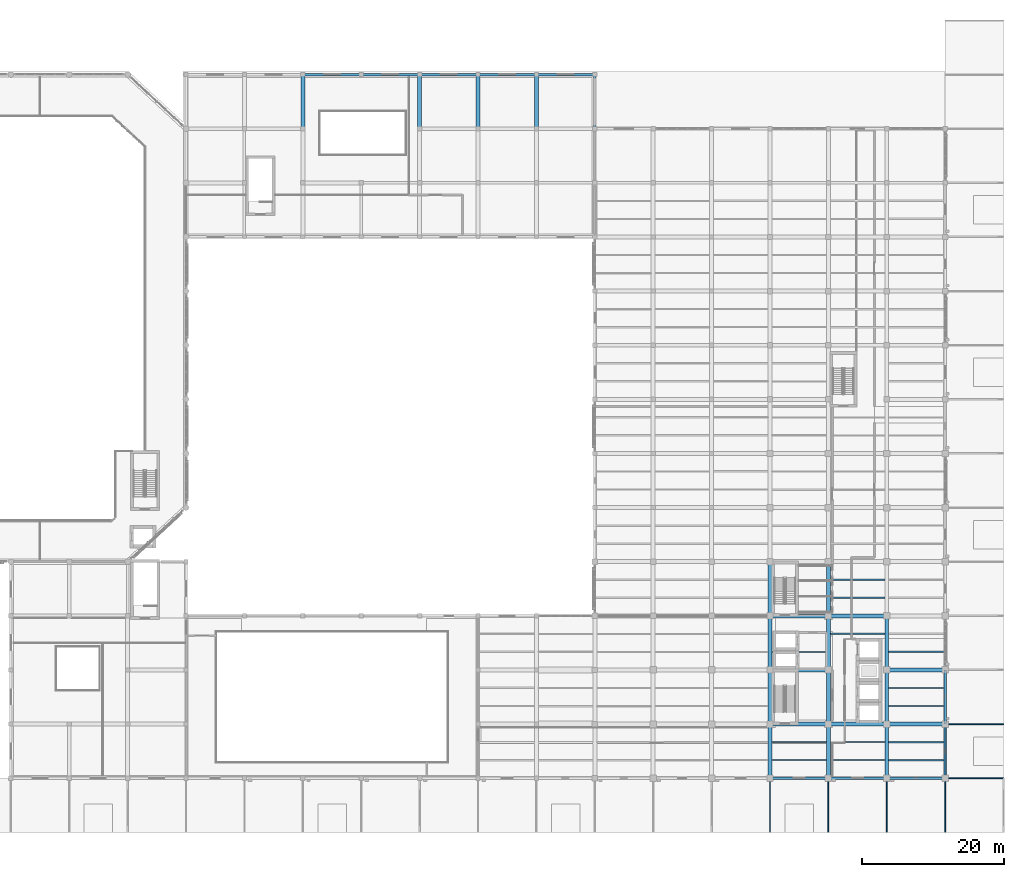
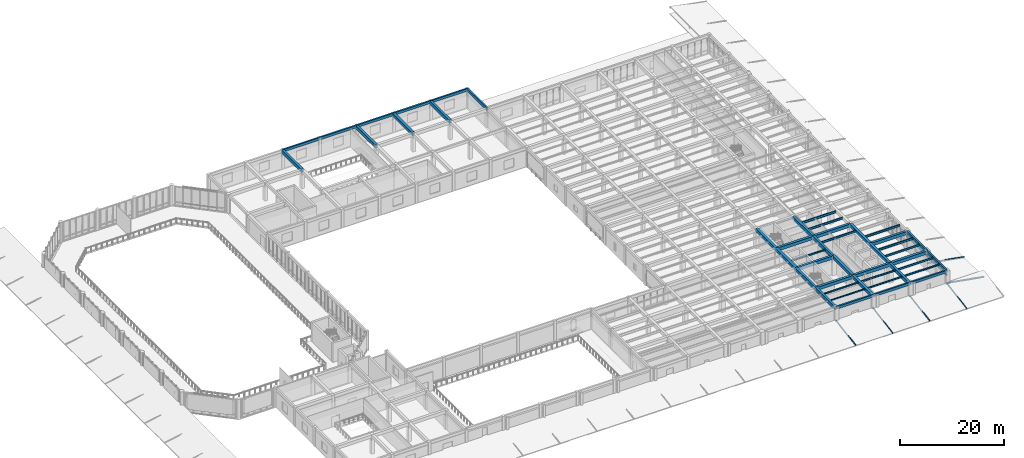
# One storey, part 20 of 57: 48 beams, 6 members.
"""IFC4 building model written with IfcOpenShell, lengths in metres."""

from ifc_helpers import new_model, si_unit, direction, frame, origin, origin_2d, place, context, subcontext, project, spatial, rectangle, i_section, extrude, material, material_profile, profile_set, type_object, element, save


model = new_model("IFC4")

# Units and contexts
model_context = context("Model", 3, precision=1e-05, world=origin(), true_north=direction((0.0, 1.0)))
body_context = subcontext(model_context, "Body", "Model", "MODEL_VIEW")
ifc_project = project(units=[si_unit("LENGTHUNIT", "METRE"), si_unit("AREAUNIT", "SQUARE_METRE"), si_unit("VOLUMEUNIT", "CUBIC_METRE"), si_unit("PLANEANGLEUNIT", "RADIAN"), si_unit("MASSUNIT", "GRAM", prefix="KILO")], contexts=[model_context])

# Site, building, storey
site_placement = place(None, origin())
site = spatial("IfcSite", under=ifc_project, at=site_placement, CompositionType="ELEMENT")
building_placement = place(site_placement, origin())
building = spatial("IfcBuilding", under=site, at=building_placement, Name="Qandaris Square Conservatory and Botanical Centre", CompositionType="ELEMENT")
storey_placement = place(building_placement, frame((0.0, 0.0, 5.39990234375)))
storey = spatial("IfcBuildingStorey", under=building, at=storey_placement, Name="L01", CompositionType="ELEMENT", Elevation=5.39990234375)

# Members
ifc_material_1 = material(Name="Steel S355", Category="steel")
ifc_material_profile_1 = material_profile(ifc_material_1, i_section(OverallWidth=0.1201171875, OverallDepth=0.239990234375, WebThickness=0.006103515625, FlangeThickness=0.009765625, FilletRadius=0.014892578125, at=origin_2d()), Name="IPE 240")
ifc_profile_set_1 = profile_set([ifc_material_profile_1], Name="Steel S355")
member_type_1 = type_object("IfcMemberType", Name="Colonnade Prairie Rafter IPE 240", PredefinedType="RAFTER", material=ifc_profile_set_1)
for number, where, z_axis, x_axis, name in (
    (1, (139.199951171875, 9.0, 0.0), (0.0, 0.985248666016, 0.17112879978), (-1.0, 0.0, 0.0), "Colonnade South Rafter 029"),
    (2, (147.39990234375, 9.0, 0.0), (0.0, 0.985248666016, 0.17112879978), (-1.0, 0.0, 0.0), "Colonnade South Rafter 030"),
    (3, (155.60009765625, 9.0, 0.0), (0.0, 0.985248666016, 0.17112879978), (-1.0, 0.0, 0.0), "Colonnade South Rafter 031"),
    (4, (163.800048828125, 9.0, 0.0), (0.0, 0.985248666016, 0.17112879978), (-1.0, 0.0, 0.0), "Colonnade South Rafter 032"),
):
    element("IfcMember", number, at=place(storey_placement, frame(where, z_axis=z_axis, x_axis=x_axis)), inside=storey, type_object=member_type_1, Name=name, PredefinedType="RAFTER", context=body_context, shape_type="SweptSolid", body=[
        extrude(i_section(OverallWidth=0.1201171875, OverallDepth=0.239990234375, WebThickness=0.006103515625, FlangeThickness=0.009765625, FilletRadius=0.014892578125, at=origin_2d()), origin(), (0.0, 0.0, 1.0), 7.7138671875),
    ])

# Beams
ifc_material_profile_2 = material_profile(ifc_material_1, i_section(OverallWidth=0.18994140625, OverallDepth=0.449951171875, WebThickness=0.009521484375, FlangeThickness=0.0146484375, FilletRadius=0.02099609375, at=origin_2d()), Name="IPE 450")
ifc_profile_set_2 = profile_set([ifc_material_profile_2], Name="Steel S355")
beam_type_1 = type_object("IfcBeamType", Name="Composite Archive Joist IPE 450", PredefinedType="JOIST", material=ifc_profile_set_2)
for number, where, z_axis, x_axis, name in (
    (5, (155.875, 21.666748046875, 4.28515625), (1.0, 0.0, 0.0), (0.0, 1.0, 0.0), "L01 Composite Joist 1268"),
    (6, (155.875, 26.7333984375, 4.28515625), (1.0, 0.0, 0.0), (0.0, 1.0, 0.0), "L01 Composite Joist 1269"),
):
    element("IfcBeam", number, at=place(storey_placement, frame(where, z_axis=z_axis, x_axis=x_axis)), inside=storey, type_object=beam_type_1, Name=name, PredefinedType="JOIST", context=body_context, shape_type="SweptSolid", body=[
        extrude(i_section(OverallWidth=0.18994140625, OverallDepth=0.449951171875, WebThickness=0.009521484375, FlangeThickness=0.0146484375, FilletRadius=0.02099609375, at=origin_2d()), origin(), (0.0, 0.0, 1.0), 7.75),
    ])
ifc_material_profile_3 = material_profile(ifc_material_1, i_section(OverallWidth=0.199951171875, OverallDepth=0.5, WebThickness=0.01025390625, FlangeThickness=0.01611328125, FilletRadius=0.02099609375, at=origin_2d()), Name="IPE 500")
ifc_profile_set_3 = profile_set([ifc_material_profile_3], Name="Steel S355")
beam_type_2 = type_object("IfcBeamType", Name="Composite Gallery Joist IPE 500", PredefinedType="JOIST", material=ifc_profile_set_3)
for number, where, z_axis, x_axis, name in (
    (7, (147.675048828125, 36.86669921875, 4.260009765625), (1.0, 0.0, 0.0), (0.0, 1.0, 0.0), "L01 Composite Joist 1252"),
    (8, (147.675048828125, 41.933349609375, 4.260009765625), (1.0, 0.0, 0.0), (0.0, 1.0, 0.0), "L01 Composite Joist 1253"),
):
    element("IfcBeam", number, at=place(storey_placement, frame(where, z_axis=z_axis, x_axis=x_axis)), inside=storey, type_object=beam_type_2, Name=name, PredefinedType="JOIST", context=body_context, shape_type="SweptSolid", body=[
        extrude(i_section(OverallWidth=0.199951171875, OverallDepth=0.5, WebThickness=0.01025390625, FlangeThickness=0.01611328125, FilletRadius=0.02099609375, at=origin_2d()), origin(), (0.0, 0.0, 1.0), 7.64990234375),
    ])
for number, where, z_axis, x_axis, name in (
    (9, (155.875, 29.2666015625, 4.260009765625), (1.0, 0.0, 0.0), (0.0, 1.0, 0.0), "L01 Composite Joist 1270"),
    (10, (155.875, 34.333251953125, 4.260009765625), (1.0, 0.0, 0.0), (0.0, 1.0, 0.0), "L01 Composite Joist 1271"),
):
    element("IfcBeam", number, at=place(storey_placement, frame(where, z_axis=z_axis, x_axis=x_axis)), inside=storey, type_object=beam_type_2, Name=name, PredefinedType="JOIST", context=body_context, shape_type="SweptSolid", body=[
        extrude(i_section(OverallWidth=0.199951171875, OverallDepth=0.5, WebThickness=0.01025390625, FlangeThickness=0.01611328125, FilletRadius=0.02099609375, at=origin_2d()), origin(), (0.0, 0.0, 1.0), 7.75),
    ])
ifc_material_profile_4 = material_profile(ifc_material_1, i_section(OverallWidth=0.159912109375, OverallDepth=0.330078125, WebThickness=0.007568359375, FlangeThickness=0.011474609375, FilletRadius=0.01806640625, at=origin_2d()), Name="IPE 330")
ifc_profile_set_4 = profile_set([ifc_material_profile_4], Name="Steel S355")
beam_type_3 = type_object("IfcBeamType", Name="Composite Lab Joist IPE 330", PredefinedType="JOIST", material=ifc_profile_set_4)
beam_1_placement = place(storey_placement, frame((139.47509765625, 19.13330078125, 4.34521484375), z_axis=(1.0, 0.0, 0.0), x_axis=(0.0, 1.0, 0.0)))
element("IfcBeam", 11, at=beam_1_placement, inside=storey, type_object=beam_type_3, Name="L01 Composite Joist 1233", PredefinedType="JOIST", context=body_context, shape_type="SweptSolid", body=[
    extrude(i_section(OverallWidth=0.159912109375, OverallDepth=0.330078125, WebThickness=0.007568359375, FlangeThickness=0.011474609375, FilletRadius=0.01806640625, at=origin_2d()), origin(), (0.0, 0.0, 1.0), 7.64990234375),
])
ifc_material_profile_5 = material_profile(ifc_material_1, i_section(OverallWidth=0.169921875, OverallDepth=0.360107421875, WebThickness=0.008056640625, FlangeThickness=0.0126953125, FilletRadius=0.01806640625, at=origin_2d()), Name="IPE 360")
ifc_profile_set_5 = profile_set([ifc_material_profile_5], Name="Steel S355")
beam_type_4 = type_object("IfcBeamType", Name="Composite Lab Joist IPE 360", PredefinedType="JOIST", material=ifc_profile_set_5)
for number, where, z_axis, x_axis, name in (
    (12, (139.47509765625, 21.666748046875, 4.330078125), (1.0, 0.0, 0.0), (0.0, 1.0, 0.0), "L01 Composite Joist 1234"),
    (13, (147.675048828125, 19.13330078125, 4.330078125), (1.0, 0.0, 0.0), (0.0, 1.0, 0.0), "L01 Composite Joist 1250"),
):
    element("IfcBeam", number, at=place(storey_placement, frame(where, z_axis=z_axis, x_axis=x_axis)), inside=storey, type_object=beam_type_4, Name=name, PredefinedType="JOIST", context=body_context, shape_type="SweptSolid", body=[
        extrude(i_section(OverallWidth=0.169921875, OverallDepth=0.360107421875, WebThickness=0.008056640625, FlangeThickness=0.0126953125, FilletRadius=0.01806640625, at=origin_2d()), origin(), (0.0, 0.0, 1.0), 7.64990234375),
    ])
ifc_material_profile_6 = material_profile(ifc_material_1, i_section(OverallWidth=0.179931640625, OverallDepth=0.39990234375, WebThickness=0.008544921875, FlangeThickness=0.013427734375, FilletRadius=0.02099609375, at=origin_2d()), Name="IPE 400")
ifc_profile_set_6 = profile_set([ifc_material_profile_6], Name="Steel S355")
beam_type_5 = type_object("IfcBeamType", Name="Composite Plinth Joist IPE 400", PredefinedType="JOIST", material=ifc_profile_set_6)
for number, where, z_axis, x_axis, name in (
    (14, (139.47509765625, 34.333251953125, 4.31005859375), (1.0, 0.0, 0.0), (0.0, 1.0, 0.0), "L01 Composite Joist 1235"),
    (15, (147.675048828125, 21.666748046875, 4.31005859375), (1.0, 0.0, 0.0), (0.0, 1.0, 0.0), "L01 Composite Joist 1251"),
):
    element("IfcBeam", number, at=place(storey_placement, frame(where, z_axis=z_axis, x_axis=x_axis)), inside=storey, type_object=beam_type_5, Name=name, PredefinedType="JOIST", context=body_context, shape_type="SweptSolid", body=[
        extrude(i_section(OverallWidth=0.179931640625, OverallDepth=0.39990234375, WebThickness=0.008544921875, FlangeThickness=0.013427734375, FilletRadius=0.02099609375, at=origin_2d()), origin(), (0.0, 0.0, 1.0), 7.64990234375),
    ])
beam_2_placement = place(storey_placement, frame((155.875, 19.13330078125, 4.31005859375), z_axis=(1.0, 0.0, 0.0), x_axis=(0.0, 1.0, 0.0)))
element("IfcBeam", 16, at=beam_2_placement, inside=storey, type_object=beam_type_5, Name="L01 Composite Joist 1267", PredefinedType="JOIST", context=body_context, shape_type="SweptSolid", body=[
    extrude(i_section(OverallWidth=0.179931640625, OverallDepth=0.39990234375, WebThickness=0.008544921875, FlangeThickness=0.013427734375, FilletRadius=0.02099609375, at=origin_2d()), origin(), (0.0, 0.0, 1.0), 7.75),
])
ifc_material_profile_7 = material_profile(ifc_material_1, i_section(OverallWidth=0.2099609375, OverallDepth=0.550048828125, WebThickness=0.010986328125, FlangeThickness=0.01708984375, FilletRadius=0.02392578125, at=origin_2d()), Name="IPE 550")
ifc_profile_set_7 = profile_set([ifc_material_profile_7], Name="Steel S355")
beam_type_6 = type_object("IfcBeamType", Name="Long-Span Foyer Joist IPE 550", PredefinedType="JOIST", material=ifc_profile_set_7)
beam_3_placement = place(storey_placement, frame((147.675048828125, 44.466796875, 4.235107421875), z_axis=(1.0, 0.0, 0.0), x_axis=(0.0, 1.0, 0.0)))
element("IfcBeam", 17, at=beam_3_placement, inside=storey, type_object=beam_type_6, Name="L01 Composite Joist 1254", PredefinedType="JOIST", context=body_context, shape_type="SweptSolid", body=[
    extrude(i_section(OverallWidth=0.2099609375, OverallDepth=0.550048828125, WebThickness=0.010986328125, FlangeThickness=0.01708984375, FilletRadius=0.02392578125, at=origin_2d()), origin(), (0.0, 0.0, 1.0), 7.64990234375),
])
ifc_material_2 = material(Name="Precast concrete C40/50", Category="concrete")
ifc_material_profile_8 = material_profile(ifc_material_2, rectangle(XDim=0.300048828125, YDim=0.35009765625, at=origin_2d()), Name="RC-LN 300x350")
ifc_profile_set_8 = profile_set([ifc_material_profile_8], Name="Precast concrete C40/50")
beam_type_7 = type_object("IfcBeamType", Name="Precast Opening Lintel 300x350", PredefinedType="LINTEL", material=ifc_profile_set_8)
beam_4_placement = place(storey_placement, frame((163.800048828125, 16.60009765625, 3.295166015625), z_axis=(0.0, 1.0, 0.0), x_axis=(-1.0, 0.0, 0.0)))
element("IfcBeam", 18, at=beam_4_placement, inside=storey, type_object=beam_type_7, Name="Precast Lintel 014", PredefinedType="LINTEL", context=body_context, shape_type="SweptSolid", body=[
    extrude(rectangle(XDim=0.300048828125, YDim=0.35009765625, at=origin_2d()), origin(), (0.0, 0.0, 1.0), 7.599853515625),
])
ifc_material_profile_9 = material_profile(ifc_material_2, rectangle(XDim=0.35009765625, YDim=0.39990234375, at=origin_2d()), Name="RC-LN 350x400")
ifc_profile_set_9 = profile_set([ifc_material_profile_9], Name="Precast concrete C40/50")
beam_type_8 = type_object("IfcBeamType", Name="Precast Opening Lintel 350x400", PredefinedType="LINTEL", material=ifc_profile_set_9)
beam_5_placement = place(storey_placement, frame((163.800048828125, 24.199951171875, 3.320068359375), z_axis=(0.0, 1.0, 0.0), x_axis=(-1.0, 0.0, 0.0)))
element("IfcBeam", 19, at=beam_5_placement, inside=storey, type_object=beam_type_8, Name="Precast Lintel 015", PredefinedType="LINTEL", context=body_context, shape_type="SweptSolid", body=[
    extrude(rectangle(XDim=0.35009765625, YDim=0.39990234375, at=origin_2d()), origin(), (0.0, 0.0, 1.0), 7.60009765625),
])
ifc_material_3 = material(Name="Concrete C50/60", Category="concrete")
ifc_material_profile_10 = material_profile(ifc_material_3, rectangle(XDim=0.35009765625, YDim=0.60009765625, at=origin_2d()), Name="RC-SP 350x600")
ifc_profile_set_10 = profile_set([ifc_material_profile_10], Name="Concrete C50/60")
beam_type_9 = type_object("IfcBeamType", Name="RC Edge Spandrel Beam 350x600", PredefinedType="SPANDREL", material=ifc_profile_set_10)
beam_6_placement = place(storey_placement, frame((139.199951171875, 16.60009765625, 4.2451171875), z_axis=(1.0, 0.0, 0.0), x_axis=(0.0, 1.0, 0.0)))
element("IfcBeam", 20, at=beam_6_placement, inside=storey, type_object=beam_type_9, Name="L01 Frame Beam 0912", PredefinedType="SPANDREL", context=body_context, shape_type="SweptSolid", body=[
    extrude(rectangle(XDim=0.35009765625, YDim=0.60009765625, at=origin_2d()), origin(), (0.0, 0.0, 1.0), 8.199951171875),
])
beam_7_placement = place(storey_placement, frame((147.39990234375, 16.60009765625, 4.2451171875), z_axis=(1.0, 0.0, 0.0), x_axis=(0.0, 1.0, 0.0)))
element("IfcBeam", 21, at=beam_7_placement, inside=storey, type_object=beam_type_9, Name="L01 Frame Beam 0913", PredefinedType="SPANDREL", context=body_context, shape_type="SweptSolid", body=[
    extrude(rectangle(XDim=0.35009765625, YDim=0.60009765625, at=origin_2d()), origin(), (0.0, 0.0, 1.0), 8.2001953125),
])
for number, where, z_axis, x_axis, name in (
    (22, (155.60009765625, 16.60009765625, 4.2451171875), (1.0, 0.0, 0.0), (0.0, 1.0, 0.0), "L01 Frame Beam 0914"),
    (23, (73.60009765625, 115.39990234375, 4.1201171875), (1.0, 0.0, 0.0), (0.0, 1.0, 0.0), "L01 Frame Beam 1021"),
    (24, (81.800048828125, 115.39990234375, 4.1201171875), (1.0, 0.0, 0.0), (0.0, 1.0, 0.0), "L01 Frame Beam 1022"),
    (25, (90.0, 115.39990234375, 4.1201171875), (1.0, 0.0, 0.0), (0.0, 1.0, 0.0), "L01 Frame Beam 1023"),
    (26, (98.199951171875, 115.39990234375, 4.1201171875), (1.0, 0.0, 0.0), (0.0, 1.0, 0.0), "L01 Frame Beam 1024"),
):
    element("IfcBeam", number, at=place(storey_placement, frame(where, z_axis=z_axis, x_axis=x_axis)), inside=storey, type_object=beam_type_9, Name=name, PredefinedType="SPANDREL", context=body_context, shape_type="SweptSolid", body=[
        extrude(rectangle(XDim=0.35009765625, YDim=0.60009765625, at=origin_2d()), origin(), (0.0, 0.0, 1.0), 8.199951171875),
    ])
beam_8_placement = place(storey_placement, frame((106.39990234375, 115.39990234375, 4.1201171875), z_axis=(1.0, 0.0, 0.0), x_axis=(0.0, 1.0, 0.0)))
element("IfcBeam", 27, at=beam_8_placement, inside=storey, type_object=beam_type_9, Name="L01 Frame Beam 1025", PredefinedType="SPANDREL", context=body_context, shape_type="SweptSolid", body=[
    extrude(rectangle(XDim=0.35009765625, YDim=0.60009765625, at=origin_2d()), origin(), (0.0, 0.0, 1.0), 8.2001953125),
])
for number, where, z_axis, x_axis, name in (
    (28, (114.60009765625, 107.800048828125, 4.1201171875), (0.0, 1.0, 0.0), (-1.0, 0.0, 0.0), "L01 Frame Beam 1082"),
    (29, (163.800048828125, 16.60009765625, 4.2451171875), (0.0, 1.0, 0.0), (-1.0, 0.0, 0.0), "L01 Frame Beam 1143"),
):
    element("IfcBeam", number, at=place(storey_placement, frame(where, z_axis=z_axis, x_axis=x_axis)), inside=storey, type_object=beam_type_9, Name=name, PredefinedType="SPANDREL", context=body_context, shape_type="SweptSolid", body=[
        extrude(rectangle(XDim=0.35009765625, YDim=0.60009765625, at=origin_2d()), origin(), (0.0, 0.0, 1.0), 7.599853515625),
    ])
beam_9_placement = place(storey_placement, frame((163.800048828125, 24.199951171875, 4.2451171875), z_axis=(0.0, 1.0, 0.0), x_axis=(-1.0, 0.0, 0.0)))
element("IfcBeam", 30, at=beam_9_placement, inside=storey, type_object=beam_type_9, Name="L01 Frame Beam 1144", PredefinedType="SPANDREL", context=body_context, shape_type="SweptSolid", body=[
    extrude(rectangle(XDim=0.35009765625, YDim=0.60009765625, at=origin_2d()), origin(), (0.0, 0.0, 1.0), 7.60009765625),
])
ifc_material_profile_11 = material_profile(ifc_material_3, rectangle(XDim=0.550048828125, YDim=0.75, at=origin_2d()), Name="RC-BM 550x750")
ifc_profile_set_11 = profile_set([ifc_material_profile_11], Name="Concrete C50/60")
beam_type_10 = type_object("IfcBeamType", Name="RC Plinth Girder 550x750", PredefinedType="BEAM", material=ifc_profile_set_11)
beam_10_placement = place(storey_placement, frame((139.199951171875, 24.199951171875, 4.14501953125), z_axis=(1.0, 0.0, 0.0), x_axis=(0.0, 1.0, 0.0)))
element("IfcBeam", 31, at=beam_10_placement, inside=storey, type_object=beam_type_10, Name="L01 Frame Beam 0922", PredefinedType="BEAM", context=body_context, shape_type="SweptSolid", body=[
    extrude(rectangle(XDim=0.550048828125, YDim=0.75, at=origin_2d()), origin(), (0.0, 0.0, 1.0), 8.199951171875),
])
beam_11_placement = place(storey_placement, frame((147.39990234375, 24.199951171875, 4.14501953125), z_axis=(1.0, 0.0, 0.0), x_axis=(0.0, 1.0, 0.0)))
element("IfcBeam", 32, at=beam_11_placement, inside=storey, type_object=beam_type_10, Name="L01 Frame Beam 0923", PredefinedType="BEAM", context=body_context, shape_type="SweptSolid", body=[
    extrude(rectangle(XDim=0.550048828125, YDim=0.75, at=origin_2d()), origin(), (0.0, 0.0, 1.0), 8.2001953125),
])
for number, where, z_axis, x_axis, name in (
    (33, (155.60009765625, 24.199951171875, 4.14501953125), (1.0, 0.0, 0.0), (0.0, 1.0, 0.0), "L01 Frame Beam 0924"),
    (34, (139.199951171875, 31.800048828125, 4.14501953125), (1.0, 0.0, 0.0), (0.0, 1.0, 0.0), "L01 Frame Beam 0930"),
    (35, (155.60009765625, 31.800048828125, 4.14501953125), (1.0, 0.0, 0.0), (0.0, 1.0, 0.0), "L01 Frame Beam 0931"),
    (36, (139.199951171875, 39.39990234375, 4.14501953125), (1.0, 0.0, 0.0), (0.0, 1.0, 0.0), "L01 Frame Beam 0944"),
):
    element("IfcBeam", number, at=place(storey_placement, frame(where, z_axis=z_axis, x_axis=x_axis)), inside=storey, type_object=beam_type_10, Name=name, PredefinedType="BEAM", context=body_context, shape_type="SweptSolid", body=[
        extrude(rectangle(XDim=0.550048828125, YDim=0.75, at=origin_2d()), origin(), (0.0, 0.0, 1.0), 8.199951171875),
    ])
beam_12_placement = place(storey_placement, frame((147.39990234375, 39.39990234375, 4.14501953125), z_axis=(1.0, 0.0, 0.0), x_axis=(0.0, 1.0, 0.0)))
element("IfcBeam", 37, at=beam_12_placement, inside=storey, type_object=beam_type_10, Name="L01 Frame Beam 0945", PredefinedType="BEAM", context=body_context, shape_type="SweptSolid", body=[
    extrude(rectangle(XDim=0.550048828125, YDim=0.75, at=origin_2d()), origin(), (0.0, 0.0, 1.0), 8.2001953125),
])
for number, where, z_axis, x_axis, name in (
    (38, (73.60009765625, 107.800048828125, 4.045166015625), (0.0, 1.0, 0.0), (-1.0, 0.0, 0.0), "L01 Frame Beam 1053"),
    (39, (90.0, 107.800048828125, 4.045166015625), (0.0, 1.0, 0.0), (-1.0, 0.0, 0.0), "L01 Frame Beam 1057"),
    (40, (98.199951171875, 107.800048828125, 4.045166015625), (0.0, 1.0, 0.0), (-1.0, 0.0, 0.0), "L01 Frame Beam 1063"),
    (41, (106.39990234375, 107.800048828125, 4.045166015625), (0.0, 1.0, 0.0), (-1.0, 0.0, 0.0), "L01 Frame Beam 1069"),
    (42, (139.199951171875, 16.60009765625, 4.14501953125), (0.0, 1.0, 0.0), (-1.0, 0.0, 0.0), "L01 Frame Beam 1107"),
):
    element("IfcBeam", number, at=place(storey_placement, frame(where, z_axis=z_axis, x_axis=x_axis)), inside=storey, type_object=beam_type_10, Name=name, PredefinedType="BEAM", context=body_context, shape_type="SweptSolid", body=[
        extrude(rectangle(XDim=0.550048828125, YDim=0.75, at=origin_2d()), origin(), (0.0, 0.0, 1.0), 7.599853515625),
    ])
beam_13_placement = place(storey_placement, frame((139.199951171875, 24.199951171875, 4.14501953125), z_axis=(0.0, 1.0, 0.0), x_axis=(-1.0, 0.0, 0.0)))
element("IfcBeam", 43, at=beam_13_placement, inside=storey, type_object=beam_type_10, Name="L01 Frame Beam 1108", PredefinedType="BEAM", context=body_context, shape_type="SweptSolid", body=[
    extrude(rectangle(XDim=0.550048828125, YDim=0.75, at=origin_2d()), origin(), (0.0, 0.0, 1.0), 7.60009765625),
])
beam_14_placement = place(storey_placement, frame((139.199951171875, 31.800048828125, 4.14501953125), z_axis=(0.0, 1.0, 0.0), x_axis=(-1.0, 0.0, 0.0)))
element("IfcBeam", 44, at=beam_14_placement, inside=storey, type_object=beam_type_10, Name="L01 Frame Beam 1109", PredefinedType="BEAM", context=body_context, shape_type="SweptSolid", body=[
    extrude(rectangle(XDim=0.550048828125, YDim=0.75, at=origin_2d()), origin(), (0.0, 0.0, 1.0), 7.599853515625),
])
beam_15_placement = place(storey_placement, frame((139.199951171875, 39.39990234375, 4.14501953125), z_axis=(0.0, 1.0, 0.0), x_axis=(-1.0, 0.0, 0.0)))
element("IfcBeam", 45, at=beam_15_placement, inside=storey, type_object=beam_type_10, Name="L01 Frame Beam 1110", PredefinedType="BEAM", context=body_context, shape_type="SweptSolid", body=[
    extrude(rectangle(XDim=0.550048828125, YDim=0.75, at=origin_2d()), origin(), (0.0, 0.0, 1.0), 7.60009765625),
])
beam_16_placement = place(storey_placement, frame((147.39990234375, 16.60009765625, 4.14501953125), z_axis=(0.0, 1.0, 0.0), x_axis=(-1.0, 0.0, 0.0)))
element("IfcBeam", 46, at=beam_16_placement, inside=storey, type_object=beam_type_10, Name="L01 Frame Beam 1119", PredefinedType="BEAM", context=body_context, shape_type="SweptSolid", body=[
    extrude(rectangle(XDim=0.550048828125, YDim=0.75, at=origin_2d()), origin(), (0.0, 0.0, 1.0), 7.599853515625),
])
beam_17_placement = place(storey_placement, frame((147.39990234375, 24.199951171875, 4.14501953125), z_axis=(0.0, 1.0, 0.0), x_axis=(-1.0, 0.0, 0.0)))
element("IfcBeam", 47, at=beam_17_placement, inside=storey, type_object=beam_type_10, Name="L01 Frame Beam 1120", PredefinedType="BEAM", context=body_context, shape_type="SweptSolid", body=[
    extrude(rectangle(XDim=0.550048828125, YDim=0.75, at=origin_2d()), origin(), (0.0, 0.0, 1.0), 7.60009765625),
])
beam_18_placement = place(storey_placement, frame((147.39990234375, 31.800048828125, 4.14501953125), z_axis=(0.0, 1.0, 0.0), x_axis=(-1.0, 0.0, 0.0)))
element("IfcBeam", 48, at=beam_18_placement, inside=storey, type_object=beam_type_10, Name="L01 Frame Beam 1121", PredefinedType="BEAM", context=body_context, shape_type="SweptSolid", body=[
    extrude(rectangle(XDim=0.550048828125, YDim=0.75, at=origin_2d()), origin(), (0.0, 0.0, 1.0), 7.599853515625),
])
beam_19_placement = place(storey_placement, frame((147.39990234375, 39.39990234375, 4.14501953125), z_axis=(0.0, 1.0, 0.0), x_axis=(-1.0, 0.0, 0.0)))
element("IfcBeam", 49, at=beam_19_placement, inside=storey, type_object=beam_type_10, Name="L01 Frame Beam 1122", PredefinedType="BEAM", context=body_context, shape_type="SweptSolid", body=[
    extrude(rectangle(XDim=0.550048828125, YDim=0.75, at=origin_2d()), origin(), (0.0, 0.0, 1.0), 7.60009765625),
])
beam_20_placement = place(storey_placement, frame((155.60009765625, 16.60009765625, 4.14501953125), z_axis=(0.0, 1.0, 0.0), x_axis=(-1.0, 0.0, 0.0)))
element("IfcBeam", 50, at=beam_20_placement, inside=storey, type_object=beam_type_10, Name="L01 Frame Beam 1131", PredefinedType="BEAM", context=body_context, shape_type="SweptSolid", body=[
    extrude(rectangle(XDim=0.550048828125, YDim=0.75, at=origin_2d()), origin(), (0.0, 0.0, 1.0), 7.599853515625),
])
beam_21_placement = place(storey_placement, frame((155.60009765625, 24.199951171875, 4.14501953125), z_axis=(0.0, 1.0, 0.0), x_axis=(-1.0, 0.0, 0.0)))
element("IfcBeam", 51, at=beam_21_placement, inside=storey, type_object=beam_type_10, Name="L01 Frame Beam 1132", PredefinedType="BEAM", context=body_context, shape_type="SweptSolid", body=[
    extrude(rectangle(XDim=0.550048828125, YDim=0.75, at=origin_2d()), origin(), (0.0, 0.0, 1.0), 7.60009765625),
])
beam_22_placement = place(storey_placement, frame((155.60009765625, 31.800048828125, 4.14501953125), z_axis=(0.0, 1.0, 0.0), x_axis=(-1.0, 0.0, 0.0)))
element("IfcBeam", 52, at=beam_22_placement, inside=storey, type_object=beam_type_10, Name="L01 Frame Beam 1133", PredefinedType="BEAM", context=body_context, shape_type="SweptSolid", body=[
    extrude(rectangle(XDim=0.550048828125, YDim=0.75, at=origin_2d()), origin(), (0.0, 0.0, 1.0), 7.599853515625),
])

# Members
ifc_material_profile_12 = material_profile(ifc_material_1, i_section(OverallWidth=0.135009765625, OverallDepth=0.27001953125, WebThickness=0.006591796875, FlangeThickness=0.01025390625, FilletRadius=0.014892578125, at=origin_2d()), Name="IPE 270")
ifc_profile_set_12 = profile_set([ifc_material_profile_12], Name="Steel S355")
member_type_2 = type_object("IfcMemberType", Name="Visitor Wing Prairie Rafter IPE 270", PredefinedType="RAFTER", material=ifc_profile_set_12)
for number, where, z_axis, x_axis, name in (
    (53, (172.0, 16.60009765625, 0.0), (-0.984924346364, 0.0, 0.172985640849), (0.0, -1.0, 0.0), "Colonnade East Rafter 035"),
    (54, (172.0, 24.199951171875, 0.0), (-0.984924346364, 0.0, 0.172985640849), (0.0, -1.0, 0.0), "Colonnade East Rafter 037"),
):
    element("IfcMember", number, at=place(storey_placement, frame(where, z_axis=z_axis, x_axis=x_axis)), inside=storey, type_object=member_type_2, Name=name, PredefinedType="RAFTER", context=body_context, shape_type="SweptSolid", body=[
        extrude(i_section(OverallWidth=0.135009765625, OverallDepth=0.27001953125, WebThickness=0.006591796875, FlangeThickness=0.01025390625, FilletRadius=0.014892578125, at=origin_2d()), origin(), (0.0, 0.0, 1.0), 8.325439453125),
    ])

save(model, "model.ifc")
